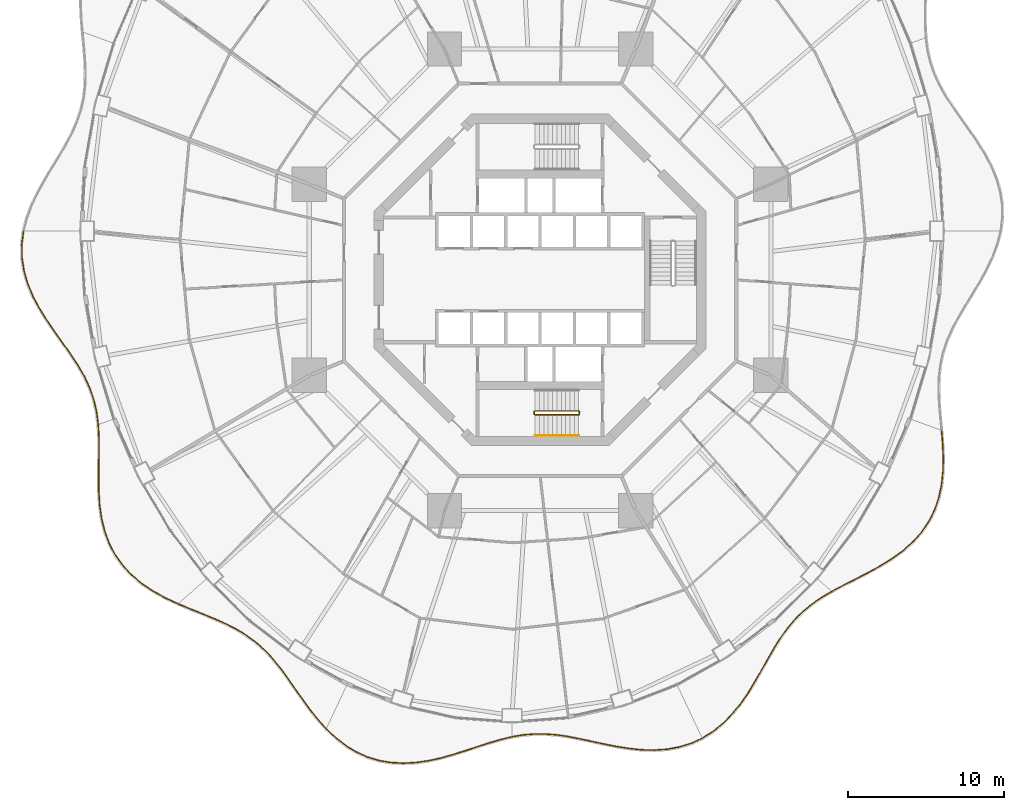
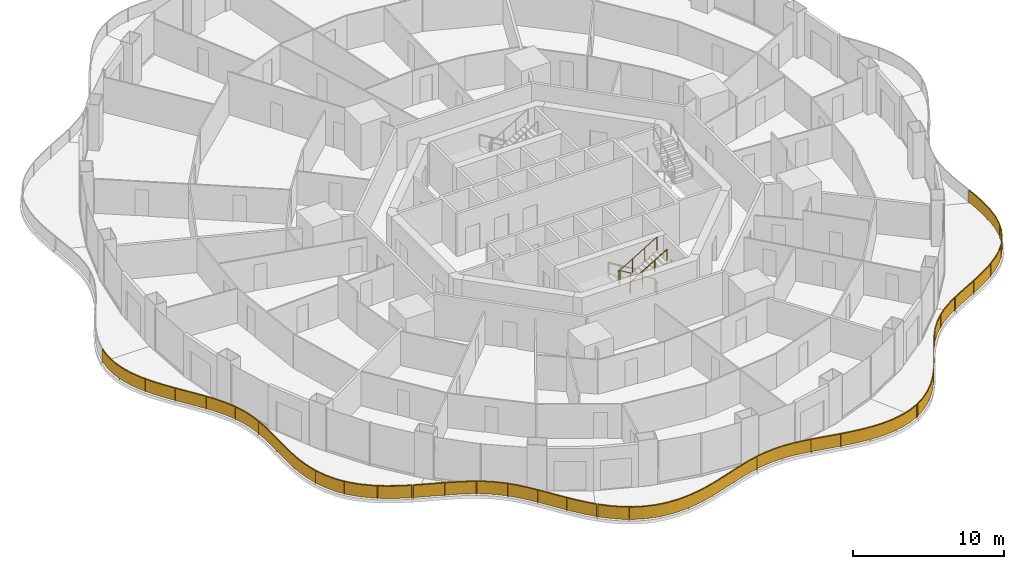
# One storey, part 20 of 22: 9 railings.
"""IFC4 building model written with IfcOpenShell, lengths in metres."""

from ifc_helpers import new_model, si_unit, direction, frame, origin, origin_2d, place, context, subcontext, project, spatial, polyline, rectangle, circle, outline, extrude, material, type_object, element, save


model = new_model("IFC4")

# Units and contexts
model_context = context("Model", 3, precision=1e-05, world=origin(), true_north=direction((0.0, 1.0)))
body_context = subcontext(model_context, "Body", "Model", "MODEL_VIEW")
ifc_project = project(units=[si_unit("LENGTHUNIT", "METRE"), si_unit("AREAUNIT", "SQUARE_METRE"), si_unit("VOLUMEUNIT", "CUBIC_METRE"), si_unit("PLANEANGLEUNIT", "RADIAN"), si_unit("MASSUNIT", "GRAM", prefix="KILO")], contexts=[model_context])

# Site, building, storey
site_placement = place(None, origin())
site = spatial("IfcSite", under=ifc_project, at=site_placement, CompositionType="ELEMENT")
building_placement = place(site_placement, origin())
building = spatial("IfcBuilding", under=site, at=building_placement, Name="Nagisa Residences", CompositionType="ELEMENT")
storey_placement = place(building_placement, frame((0.0, 0.0, 91.800048828125)))
storey = spatial("IfcBuildingStorey", under=building, at=storey_placement, Name="L22", CompositionType="ELEMENT", Elevation=91.800048828125)

# Railings
ifc_material_1 = material(Name="Stainless steel 316", Category="steel")
railing_type_1 = type_object("IfcRailingType", Name="BALCONY GUARD 1100", PredefinedType="BALUSTRADE", material=ifc_material_1)
railing_1_placement = place(storey_placement, frame((-33.089599609375, 3.079345703125, 0.0)))
element("IfcRailing", 1, at=railing_1_placement, inside=storey, type_object=railing_type_1, Name="guard:L22:bal08-0", PredefinedType="BALUSTRADE", context=body_context, shape_type="SweptSolid", body=[
    extrude(outline(polyline([(-0.077880859375, -0.807373046875), (0.02490234375, -0.003173828125), (-0.02490234375, 0.003173828125), (-0.128173828125, -0.804443359375), (-0.118896484375, -1.659423828125), (0.009033203125, -2.5078125), (0.249267578125, -3.34326171875), (0.58984375, -4.16015625), (1.01025390625, -4.94140625), (1.491455078125, -5.713134765625), (2.006591796875, -6.462890625), (2.529052734375, -7.19384765625), (3.03369140625, -7.911865234375), (3.49462890625, -8.610107421875), (3.8994140625, -9.32421875), (4.232421875, -10.049072265625), (4.487060546875, -10.79296875), (4.663330078125, -11.562744140625), (4.761962890625, -12.321533203125), (4.811767578125, -12.315185546875), (4.712646484375, -11.553955078125), (4.535400390625, -10.779296875), (4.27880859375, -10.030517578125), (3.94384765625, -9.30126953125), (3.537109375, -8.583740234375), (3.0751953125, -7.883544921875), (2.570068359375, -7.1650390625), (2.047607421875, -6.43408203125), (1.533447265625, -5.685791015625), (1.0537109375, -4.91650390625), (0.63525390625, -4.138671875), (0.296630859375, -3.32666015625), (0.057861328125, -2.4970703125), (-0.069091796875, -1.655517578125), (-0.077880859375, -0.807373046875)])), frame((0.0, 0.0, 1.050048828125)), (0.0, 0.0, 1.0), 0.050048828125),
    extrude(outline(polyline([(-0.095947265625, -0.806396484375), (0.0068359375, -0.0009765625), (-0.0068359375, 0.0009765625), (-0.110107421875, -0.805419921875), (-0.10107421875, -1.657958984375), (0.026611328125, -2.50390625), (0.266357421875, -3.33740234375), (0.606201171875, -4.15234375), (1.02587890625, -4.932373046875), (1.506591796875, -5.703369140625), (2.021484375, -6.452392578125), (2.5439453125, -7.18359375), (3.048583984375, -7.901611328125), (3.510009765625, -8.6005859375), (3.915283203125, -9.31591796875), (4.2490234375, -10.04248046875), (4.50439453125, -10.7880859375), (4.68115234375, -11.5595703125), (4.780029296875, -12.3193359375), (4.793701171875, -12.3173828125), (4.69482421875, -11.55712890625), (4.51806640625, -10.7841796875), (4.26220703125, -10.037109375), (3.927978515625, -9.3095703125), (3.521728515625, -8.59326171875), (3.060302734375, -7.893798828125), (2.55517578125, -7.17529296875), (2.03271484375, -6.444580078125), (1.518310546875, -5.695556640625), (1.0380859375, -4.925537109375), (0.618896484375, -4.146484375), (0.279541015625, -3.33251953125), (0.040283203125, -2.5009765625), (-0.0869140625, -1.656982421875), (-0.095947265625, -0.806396484375)])), frame((0.0, 0.0, 0.06005859375)), (0.0, 0.0, 1.0), 0.989990234375),
    extrude(rectangle(XDim=0.0400390625, YDim=0.0400390625, at=origin_2d()), origin(), (0.0, 0.0, 1.0), 1.050048828125),
    extrude(rectangle(XDim=0.0400390625, YDim=0.0400390625, at=origin_2d()), frame((-0.00537109375, -2.245849609375, 0.0)), (0.0, 0.0, 1.0), 1.050048828125),
    extrude(rectangle(XDim=0.0400390625, YDim=0.0400390625, at=origin_2d()), frame((0.7314453125, -4.3701171875, 0.0)), (0.0, 0.0, 1.0), 1.050048828125),
    extrude(rectangle(XDim=0.0400390625, YDim=0.0400390625, at=origin_2d()), frame((1.918212890625, -6.2900390625, 0.0)), (0.0, 0.0, 1.0), 1.050048828125),
    extrude(rectangle(XDim=0.0400390625, YDim=0.0400390625, at=origin_2d()), frame((3.21435546875, -8.139892578125, 0.0)), (0.0, 0.0, 1.0), 1.050048828125),
    extrude(rectangle(XDim=0.0400390625, YDim=0.0400390625, at=origin_2d()), frame((4.2841796875, -10.12353515625, 0.0)), (0.0, 0.0, 1.0), 1.050048828125),
    extrude(rectangle(XDim=0.0400390625, YDim=0.0400390625, at=origin_2d()), frame((4.786865234375, -12.318359375, 0.0)), (0.0, 0.0, 1.0), 1.050048828125),
])
railing_2_placement = place(storey_placement, frame((-28.298095703125, -9.310546875, 0.0)))
element("IfcRailing", 2, at=railing_2_placement, inside=storey, type_object=railing_type_1, Name="guard:L22:bal09-0", PredefinedType="BALUSTRADE", context=body_context, shape_type="SweptSolid", body=[
    extrude(outline(polyline([(0.066650390625, -0.764404296875), (0.02490234375, 0.00146484375), (-0.02490234375, -0.00146484375), (0.016845703125, -0.765869140625), (0.0224609375, -1.601318359375), (0.0087890625, -2.461181640625), (-0.003173828125, -3.339111328125), (0.009765625, -4.22509765625), (0.061279296875, -5.0947265625), (0.184326171875, -5.961669921875), (0.3876953125, -6.799560546875), (0.68212890625, -7.595947265625), (1.07373046875, -8.340087890625), (1.55419921875, -9.01171875), (2.13330078125, -9.62841796875), (2.794189453125, -10.17822265625), (3.521728515625, -10.663330078125), (4.298828125, -11.09033203125), (5.065673828125, -11.4482421875), (5.086669921875, -11.40283203125), (4.3212890625, -11.0458984375), (3.547607421875, -10.620361328125), (2.823974609375, -10.13818359375), (2.16748046875, -9.591796875), (1.5927734375, -8.97998046875), (1.1162109375, -8.313720703125), (0.72802734375, -7.575439453125), (0.435546875, -6.784912109375), (0.233642578125, -5.952392578125), (0.111083984375, -5.08984375), (0.0595703125, -4.22314453125), (0.047119140625, -3.339111328125), (0.05859375, -2.462158203125), (0.07275390625, -1.601318359375), (0.066650390625, -0.764404296875)])), frame((0.0, 0.0, 1.050048828125)), (0.0, 0.0, 1.0), 0.050048828125),
    extrude(outline(polyline([(0.048828125, -0.764892578125), (0.007080078125, 0.00048828125), (-0.007080078125, -0.00048828125), (0.03466796875, -0.765380859375), (0.04052734375, -1.601318359375), (0.026611328125, -2.461669921875), (0.014892578125, -3.339111328125), (0.027587890625, -4.224365234375), (0.0791015625, -5.093017578125), (0.2021484375, -5.958251953125), (0.405029296875, -6.794189453125), (0.69873046875, -7.588623046875), (1.089111328125, -8.33056640625), (1.568115234375, -9.000244140625), (2.1455078125, -9.615234375), (2.804931640625, -10.163818359375), (3.531005859375, -10.64794921875), (4.306884765625, -11.074462890625), (5.0732421875, -11.431884765625), (5.0791015625, -11.419189453125), (4.313232421875, -11.061767578125), (3.538330078125, -10.6357421875), (2.813232421875, -10.152587890625), (2.1552734375, -9.60498046875), (1.578857421875, -8.991455078125), (1.100830078125, -8.3232421875), (0.71142578125, -7.582763671875), (0.418212890625, -6.790283203125), (0.2158203125, -5.955810546875), (0.09326171875, -5.091552734375), (0.041748046875, -4.223876953125), (0.029052734375, -3.339111328125), (0.040771484375, -2.461669921875), (0.0546875, -1.601318359375), (0.048828125, -0.764892578125)])), frame((0.0, 0.0, 0.06005859375)), (0.0, 0.0, 1.0), 0.989990234375),
    extrude(rectangle(XDim=0.0400390625, YDim=0.0400390625, at=origin_2d()), origin(), (0.0, 0.0, 1.0), 1.050048828125),
    extrude(rectangle(XDim=0.0400390625, YDim=0.0400390625, at=origin_2d()), frame((0.036865234375, -2.271484375, 0.0)), (0.0, 0.0, 1.0), 1.050048828125),
    extrude(rectangle(XDim=0.0400390625, YDim=0.0400390625, at=origin_2d()), frame((0.0537109375, -4.543212890625, 0.0)), (0.0, 0.0, 1.0), 1.050048828125),
    extrude(rectangle(XDim=0.0400390625, YDim=0.0400390625, at=origin_2d()), frame((0.4091796875, -6.782470703125, 0.0)), (0.0, 0.0, 1.0), 1.050048828125),
    extrude(rectangle(XDim=0.0400390625, YDim=0.0400390625, at=origin_2d()), frame((1.431884765625, -8.7978515625, 0.0)), (0.0, 0.0, 1.0), 1.050048828125),
    extrude(rectangle(XDim=0.0400390625, YDim=0.0400390625, at=origin_2d()), frame((3.083251953125, -10.341064453125, 0.0)), (0.0, 0.0, 1.0), 1.050048828125),
    extrude(rectangle(XDim=0.0400390625, YDim=0.0400390625, at=origin_2d()), frame((5.076171875, -11.425537109375, 0.0)), (0.0, 0.0, 1.0), 1.050048828125),
])
railing_3_placement = place(storey_placement, frame((-23.1513671875, -20.76611328125, 0.0)))
element("IfcRailing", 3, at=railing_3_placement, inside=storey, type_object=railing_type_1, Name="guard:L22:bal10-0", PredefinedType="BALUSTRADE", context=body_context, shape_type="SweptSolid", body=[
    extrude(outline(polyline([(0.747802734375, -0.286376953125), (0.009765625, 0.023193359375), (-0.009765625, -0.023193359375), (0.728759765625, -0.332763671875), (1.50244140625, -0.64501953125), (2.255859375, -0.954345703125), (2.977294921875, -1.27587890625), (3.65869140625, -1.622314453125), (4.283447265625, -1.99560546875), (4.875244140625, -2.42578125), (5.4248046875, -2.908203125), (5.93896484375, -3.44482421875), (6.427001953125, -4.033203125), (6.885986328125, -4.657470703125), (7.35595703125, -5.324951171875), (7.83544921875, -6.01220703125), (8.33642578125, -6.7021484375), (8.869140625, -7.375732421875), (9.40771484375, -7.979736328125), (9.4453125, -7.946533203125), (8.90771484375, -7.343505859375), (8.37646484375, -6.671875), (7.87646484375, -5.9833984375), (7.39697265625, -5.296142578125), (6.926513671875, -4.628173828125), (6.466552734375, -4.00244140625), (5.9765625, -3.41162109375), (5.45947265625, -2.8720703125), (4.906494140625, -2.38671875), (4.311279296875, -1.95361328125), (3.68310546875, -1.578369140625), (2.998779296875, -1.23046875), (2.275390625, -0.908447265625), (1.521484375, -0.5986328125), (0.747802734375, -0.286376953125)])), frame((0.0, 0.0, 1.050048828125)), (0.0, 0.0, 1.0), 0.050048828125),
    extrude(outline(polyline([(0.740966796875, -0.302978515625), (0.002685546875, 0.00634765625), (-0.002685546875, -0.00634765625), (0.735595703125, -0.316162109375), (1.50927734375, -0.62841796875), (2.262939453125, -0.937744140625), (2.985107421875, -1.259521484375), (3.66748046875, -1.6064453125), (4.29345703125, -1.98046875), (4.886474609375, -2.41162109375), (5.437255859375, -2.895263671875), (5.95263671875, -3.432861328125), (6.441162109375, -4.022216796875), (6.900634765625, -4.64697265625), (7.370849609375, -5.314453125), (7.850341796875, -6.001953125), (8.350830078125, -6.691162109375), (8.883056640625, -7.364013671875), (9.42138671875, -7.9677734375), (9.431640625, -7.95849609375), (8.893798828125, -7.355224609375), (8.362060546875, -6.682861328125), (7.861572265625, -5.99365234375), (7.382080078125, -5.306640625), (6.911865234375, -4.638671875), (6.452392578125, -4.013427734375), (5.962890625, -3.423583984375), (5.447021484375, -2.885009765625), (4.895263671875, -2.40087890625), (4.30126953125, -1.96875), (3.67431640625, -1.59423828125), (2.990966796875, -1.246826171875), (2.268310546875, -0.925048828125), (1.5146484375, -0.615234375), (0.740966796875, -0.302978515625)])), frame((0.0, 0.0, 0.06005859375)), (0.0, 0.0, 1.0), 0.989990234375),
    extrude(rectangle(XDim=0.0400390625, YDim=0.0400390625, at=origin_2d()), origin(), (0.0, 0.0, 1.0), 1.050048828125),
    extrude(rectangle(XDim=0.0400390625, YDim=0.0400390625, at=origin_2d()), frame((1.951904296875, -0.802490234375, 0.0)), (0.0, 0.0, 1.0), 1.050048828125),
    extrude(rectangle(XDim=0.0400390625, YDim=0.0400390625, at=origin_2d()), frame((3.85498046875, -1.71044921875, 0.0)), (0.0, 0.0, 1.0), 1.050048828125),
    extrude(rectangle(XDim=0.0400390625, YDim=0.0400390625, at=origin_2d()), frame((5.53076171875, -2.982421875, 0.0)), (0.0, 0.0, 1.0), 1.050048828125),
    extrude(rectangle(XDim=0.0400390625, YDim=0.0400390625, at=origin_2d()), frame((6.87744140625, -4.603759765625, 0.0)), (0.0, 0.0, 1.0), 1.050048828125),
    extrude(rectangle(XDim=0.0400390625, YDim=0.0400390625, at=origin_2d()), frame((8.09521484375, -6.327392578125, 0.0)), (0.0, 0.0, 1.0), 1.050048828125),
    extrude(rectangle(XDim=0.0400390625, YDim=0.0400390625, at=origin_2d()), frame((9.426513671875, -7.963134765625, 0.0)), (0.0, 0.0, 1.0), 1.050048828125),
])
railing_4_placement = place(storey_placement, frame((-13.671630859375, -28.785400390625, 0.0)))
element("IfcRailing", 4, at=railing_4_placement, inside=storey, type_object=railing_type_1, Name="guard:L22:bal11-0", PredefinedType="BALUSTRADE", context=body_context, shape_type="SweptSolid", body=[
    extrude(outline(polyline([(0.573486328125, -0.51220703125), (0.017333984375, 0.01806640625), (-0.017333984375, -0.01806640625), (0.540771484375, -0.55029296875), (1.179443359375, -1.047119140625), (1.861328125, -1.464599609375), (2.583740234375, -1.79296875), (3.3408203125, -2.026123046875), (4.109375, -2.157470703125), (4.913818359375, -2.200439453125), (5.729248046875, -2.15673828125), (6.546875, -2.0380859375), (7.359375, -1.85888671875), (8.142578125, -1.6337890625), (8.927001953125, -1.38623046875), (9.692626953125, -1.132568359375), (10.439697265625, -0.89111328125), (11.16943359375, -0.67822265625), (11.84326171875, -0.51611328125), (11.83154296875, -0.46728515625), (11.15673828125, -0.6298828125), (10.425048828125, -0.84326171875), (9.677001953125, -1.085205078125), (8.911376953125, -1.33837890625), (8.1279296875, -1.5859375), (7.34716796875, -1.810546875), (6.5380859375, -1.98876953125), (5.724365234375, -2.10693359375), (4.913818359375, -2.150146484375), (4.11474609375, -2.107666015625), (3.3525390625, -1.977294921875), (2.601318359375, -1.74609375), (1.884765625, -1.420166015625), (1.207763671875, -1.006103515625), (0.573486328125, -0.51220703125)])), frame((0.0, 0.0, 1.050048828125)), (0.0, 0.0, 1.0), 0.050048828125),
    extrude(outline(polyline([(0.561767578125, -0.52587890625), (0.0048828125, 0.005126953125), (-0.0048828125, -0.005126953125), (0.552490234375, -0.53662109375), (1.189697265625, -1.032470703125), (1.869873046875, -1.448486328125), (2.590087890625, -1.776123046875), (3.344970703125, -2.008544921875), (4.111328125, -2.1396484375), (4.913818359375, -2.182373046875), (5.7275390625, -2.138916015625), (6.543701171875, -2.020263671875), (7.35498046875, -1.841552734375), (8.13720703125, -1.616455078125), (8.92138671875, -1.368896484375), (9.68701171875, -1.115478515625), (10.434326171875, -0.873779296875), (11.164794921875, -0.660888671875), (11.839111328125, -0.49853515625), (11.835693359375, -0.48486328125), (11.161376953125, -0.647216796875), (10.430419921875, -0.860595703125), (9.6826171875, -1.102294921875), (8.9169921875, -1.355712890625), (8.13330078125, -1.603271484375), (7.3515625, -1.827880859375), (6.541259765625, -2.006591796875), (5.72607421875, -2.124755859375), (4.913818359375, -2.168212890625), (4.11279296875, -2.12548828125), (3.348388671875, -1.994873046875), (2.594970703125, -1.762939453125), (1.876220703125, -1.436279296875), (1.197509765625, -1.020751953125), (0.561767578125, -0.52587890625)])), frame((0.0, 0.0, 0.06005859375)), (0.0, 0.0, 1.0), 0.989990234375),
    extrude(rectangle(XDim=0.0400390625, YDim=0.0400390625, at=origin_2d()), origin(), (0.0, 0.0, 1.0), 1.050048828125),
    extrude(rectangle(XDim=0.0400390625, YDim=0.0400390625, at=origin_2d()), frame((1.652099609375, -1.30712890625, 0.0)), (0.0, 0.0, 1.0), 1.050048828125),
    extrude(rectangle(XDim=0.0400390625, YDim=0.0400390625, at=origin_2d()), frame((3.6181640625, -2.048095703125, 0.0)), (0.0, 0.0, 1.0), 1.050048828125),
    extrude(rectangle(XDim=0.0400390625, YDim=0.0400390625, at=origin_2d()), frame((5.722412109375, -2.132080078125, 0.0)), (0.0, 0.0, 1.0), 1.050048828125),
    extrude(rectangle(XDim=0.0400390625, YDim=0.0400390625, at=origin_2d()), frame((7.79052734375, -1.708984375, 0.0)), (0.0, 0.0, 1.0), 1.050048828125),
    extrude(rectangle(XDim=0.0400390625, YDim=0.0400390625, at=origin_2d()), frame((9.80517578125, -1.070068359375, 0.0)), (0.0, 0.0, 1.0), 1.050048828125),
    extrude(rectangle(XDim=0.0400390625, YDim=0.0400390625, at=origin_2d()), frame((11.83740234375, -0.49169921875, 0.0)), (0.0, 0.0, 1.0), 1.050048828125),
])
railing_5_placement = place(storey_placement, frame((-1.765380859375, -29.26123046875, 0.0)))
element("IfcRailing", 5, at=railing_5_placement, inside=storey, type_object=railing_type_1, Name="guard:L22:bal12-0", PredefinedType="BALUSTRADE", context=body_context, shape_type="SweptSolid", body=[
    extrude(outline(polyline([(0.66259765625, 0.136962890625), (-0.004150390625, 0.024658203125), (0.004150390625, -0.024658203125), (0.6689453125, 0.087158203125), (1.374267578125, 0.14794921875), (2.082763671875, 0.149169921875), (2.8017578125, 0.093994140625), (3.535400390625, -0.010009765625), (4.27001953125, -0.154541015625), (5.04248046875, -0.31982421875), (5.83447265625, -0.491455078125), (6.643310546875, -0.6513671875), (7.4638671875, -0.78125), (8.272705078125, -0.867919921875), (9.095458984375, -0.886474609375), (9.905517578125, -0.828125), (10.694091796875, -0.68408203125), (11.451171875, -0.448486328125), (12.124755859375, -0.140380859375), (12.103759765625, -0.094970703125), (11.43310546875, -0.401611328125), (10.681884765625, -0.63525390625), (9.899169921875, -0.7783203125), (9.093994140625, -0.836181640625), (8.276123046875, -0.818115234375), (7.47021484375, -0.7314453125), (6.652099609375, -0.60205078125), (5.8447265625, -0.442626953125), (5.05322265625, -0.27099609375), (4.2802734375, -0.105712890625), (3.543701171875, 0.039306640625), (2.80712890625, 0.143798828125), (2.084716796875, 0.199462890625), (1.371826171875, 0.19775390625), (0.66259765625, 0.136962890625)])), frame((0.0, 0.0, 1.050048828125)), (0.0, 0.0, 1.0), 0.050048828125),
    extrude(outline(polyline([(0.664794921875, 0.118896484375), (-0.001220703125, 0.0068359375), (0.001220703125, -0.0068359375), (0.666748046875, 0.105224609375), (1.373291015625, 0.165771484375), (2.08349609375, 0.167236328125), (2.8037109375, 0.11181640625), (3.538330078125, 0.0078125), (4.273681640625, -0.136962890625), (5.04638671875, -0.30224609375), (5.838134765625, -0.473876953125), (6.646484375, -0.633544921875), (7.466064453125, -0.76318359375), (8.27392578125, -0.85009765625), (9.094970703125, -0.868408203125), (9.9033203125, -0.81005859375), (10.689697265625, -0.66650390625), (11.444580078125, -0.431640625), (12.1171875, -0.1240234375), (12.111328125, -0.111328125), (11.439697265625, -0.41845703125), (10.686279296875, -0.65283203125), (9.9013671875, -0.79638671875), (9.094482421875, -0.854248046875), (8.27490234375, -0.8359375), (7.468017578125, -0.74951171875), (6.64892578125, -0.619873046875), (5.841064453125, -0.460205078125), (5.04931640625, -0.28857421875), (4.276611328125, -0.123291015625), (3.540771484375, 0.021484375), (2.80517578125, 0.1259765625), (2.083984375, 0.181396484375), (1.372802734375, 0.179931640625), (0.664794921875, 0.118896484375)])), frame((0.0, 0.0, 0.06005859375)), (0.0, 0.0, 1.0), 0.989990234375),
    extrude(rectangle(XDim=0.0400390625, YDim=0.0400390625, at=origin_2d()), origin(), (0.0, 0.0, 1.0), 1.050048828125),
    extrude(rectangle(XDim=0.0400390625, YDim=0.0400390625, at=origin_2d()), frame((2.043701171875, 0.17431640625, 0.0)), (0.0, 0.0, 1.0), 1.050048828125),
    extrude(rectangle(XDim=0.0400390625, YDim=0.0400390625, at=origin_2d()), frame((4.07958984375, -0.091552734375, 0.0)), (0.0, 0.0, 1.0), 1.050048828125),
    extrude(rectangle(XDim=0.0400390625, YDim=0.0400390625, at=origin_2d()), frame((6.0908203125, -0.5166015625, 0.0)), (0.0, 0.0, 1.0), 1.050048828125),
    extrude(rectangle(XDim=0.0400390625, YDim=0.0400390625, at=origin_2d()), frame((8.12158203125, -0.82666015625, 0.0)), (0.0, 0.0, 1.0), 1.050048828125),
    extrude(rectangle(XDim=0.0400390625, YDim=0.0400390625, at=origin_2d()), frame((10.169677734375, -0.75439453125, 0.0)), (0.0, 0.0, 1.0), 1.050048828125),
    extrude(rectangle(XDim=0.0400390625, YDim=0.0400390625, at=origin_2d()), frame((12.1142578125, -0.11767578125, 0.0)), (0.0, 0.0, 1.0), 1.050048828125),
])
railing_6_placement = place(storey_placement, frame((10.4169921875, -29.34228515625, 0.0)))
element("IfcRailing", 6, at=railing_6_placement, inside=storey, type_object=railing_type_1, Name="guard:L22:bal13-0", PredefinedType="BALUSTRADE", context=body_context, shape_type="SweptSolid", body=[
    extrude(outline(polyline([(0.639404296875, 0.429443359375), (-0.01318359375, 0.021240234375), (0.01318359375, -0.021240234375), (0.668701171875, 0.388427734375), (1.312255859375, 0.911376953125), (1.901123046875, 1.5107421875), (2.437744140625, 2.170166015625), (2.9267578125, 2.873291015625), (3.36279296875, 3.591796875), (3.784912109375, 4.32568359375), (4.19140625, 5.048828125), (4.595947265625, 5.74609375), (5.01220703125, 6.4052734375), (5.44091796875, 7.0078125), (5.916748046875, 7.5703125), (6.436279296875, 8.08251953125), (7.003662109375, 8.547607421875), (7.62060546875, 8.97314453125), (8.247314453125, 9.344970703125), (8.221923828125, 9.387939453125), (7.59375, 9.01513671875), (6.973388671875, 8.587646484375), (6.402587890625, 8.11962890625), (5.880126953125, 7.6044921875), (5.4013671875, 7.03857421875), (4.970703125, 6.43310546875), (4.552978515625, 5.77197265625), (4.14794921875, 5.07373046875), (3.741455078125, 4.3505859375), (3.31982421875, 3.6171875), (2.884765625, 2.900634765625), (2.397705078125, 2.200439453125), (1.864013671875, 1.5439453125), (1.278564453125, 0.948486328125), (0.639404296875, 0.429443359375)])), frame((0.0, 0.0, 1.050048828125)), (0.0, 0.0, 1.0), 0.050048828125),
    extrude(outline(polyline([(0.64990234375, 0.41455078125), (-0.003662109375, 0.005859375), (0.003662109375, -0.005859375), (0.658203125, 0.4033203125), (1.300048828125, 0.9248046875), (1.8876953125, 1.522705078125), (2.42333984375, 2.18115234375), (2.91162109375, 2.883056640625), (3.347412109375, 3.600830078125), (3.769287109375, 4.334716796875), (4.17578125, 5.057861328125), (4.58056640625, 5.75537109375), (4.997314453125, 6.415283203125), (5.4267578125, 7.018798828125), (5.903564453125, 7.58251953125), (6.424072265625, 8.095947265625), (6.99267578125, 8.56201171875), (7.61083984375, 8.98828125), (8.23828125, 9.3603515625), (8.23095703125, 9.37255859375), (7.603515625, 9.0), (6.984375, 8.5732421875), (6.414794921875, 8.106201171875), (5.893310546875, 7.59228515625), (5.41552734375, 7.027587890625), (4.985595703125, 6.423095703125), (4.568359375, 5.7626953125), (4.16357421875, 5.064697265625), (3.757080078125, 4.341552734375), (3.335205078125, 3.608154296875), (2.89990234375, 2.890869140625), (2.412109375, 2.189453125), (1.87744140625, 1.531982421875), (1.290771484375, 0.93505859375), (0.64990234375, 0.41455078125)])), frame((0.0, 0.0, 0.06005859375)), (0.0, 0.0, 1.0), 0.989990234375),
    extrude(rectangle(XDim=0.0400390625, YDim=0.0400390625, at=origin_2d()), origin(), (0.0, 0.0, 1.0), 1.050048828125),
    extrude(rectangle(XDim=0.0400390625, YDim=0.0400390625, at=origin_2d()), frame((1.65576171875, 1.29638671875, 0.0)), (0.0, 0.0, 1.0), 1.050048828125),
    extrude(rectangle(XDim=0.0400390625, YDim=0.0400390625, at=origin_2d()), frame((2.949951171875, 2.959716796875, 0.0)), (0.0, 0.0, 1.0), 1.050048828125),
    extrude(rectangle(XDim=0.0400390625, YDim=0.0400390625, at=origin_2d()), frame((4.013671875, 4.78369140625, 0.0)), (0.0, 0.0, 1.0), 1.050048828125),
    extrude(rectangle(XDim=0.0400390625, YDim=0.0400390625, at=origin_2d()), frame((5.110595703125, 6.586669921875, 0.0)), (0.0, 0.0, 1.0), 1.050048828125),
    extrude(rectangle(XDim=0.0400390625, YDim=0.0400390625, at=origin_2d()), frame((6.5009765625, 8.167724609375, 0.0)), (0.0, 0.0, 1.0), 1.050048828125),
    extrude(rectangle(XDim=0.0400390625, YDim=0.0400390625, at=origin_2d()), frame((8.234619140625, 9.366455078125, 0.0)), (0.0, 0.0, 1.0), 1.050048828125),
])
railing_7_placement = place(storey_placement, frame((18.716552734375, -19.941650390625, 0.0)))
element("IfcRailing", 7, at=railing_7_placement, inside=storey, type_object=railing_type_1, Name="guard:L22:bal14-0", PredefinedType="BALUSTRADE", context=body_context, shape_type="SweptSolid", body=[
    extrude(outline(polyline([(0.689697265625, 0.396240234375), (-0.01171875, 0.02197265625), (0.01171875, -0.02197265625), (0.712646484375, 0.351806640625), (1.482177734375, 0.742919921875), (2.265869140625, 1.14501953125), (3.0458984375, 1.57275390625), (3.80126953125, 2.039794921875), (4.50390625, 2.543212890625), (5.151611328125, 3.115234375), (5.7197265625, 3.747314453125), (6.19580078125, 4.43896484375), (6.572998046875, 5.18603515625), (6.842041015625, 5.968505859375), (7.020263671875, 6.80322265625), (7.111083984375, 7.666015625), (7.12841796875, 8.545166015625), (7.090576171875, 9.429443359375), (7.0205078125, 10.263916015625), (6.970703125, 10.259521484375), (7.040771484375, 9.426513671875), (7.078125, 8.544677734375), (7.061279296875, 7.6689453125), (6.970947265625, 6.81103515625), (6.793701171875, 5.981689453125), (6.526611328125, 5.20556640625), (6.15283203125, 4.46435546875), (5.68017578125, 3.778564453125), (5.116455078125, 3.15087890625), (4.47265625, 2.582275390625), (3.7734375, 2.081298828125), (3.0205078125, 1.6162109375), (2.242431640625, 1.189453125), (1.459228515625, 0.787353515625), (0.689697265625, 0.396240234375)])), frame((0.0, 0.0, 1.050048828125)), (0.0, 0.0, 1.0), 0.050048828125),
    extrude(outline(polyline([(0.697998046875, 0.380126953125), (-0.003173828125, 0.006103515625), (0.003173828125, -0.006103515625), (0.704345703125, 0.367919921875), (1.473876953125, 0.7587890625), (2.25732421875, 1.1611328125), (3.03662109375, 1.58837890625), (3.791259765625, 2.0546875), (4.49267578125, 2.557373046875), (5.138916015625, 3.128173828125), (5.70556640625, 3.758544921875), (6.180419921875, 4.447998046875), (6.55615234375, 5.193115234375), (6.82470703125, 5.97314453125), (7.00244140625, 6.805908203125), (7.09326171875, 7.6669921875), (7.1103515625, 8.544921875), (7.07275390625, 9.428466796875), (7.002685546875, 10.26220703125), (6.988525390625, 10.26123046875), (7.05859375, 9.427490234375), (7.09619140625, 8.544921875), (7.0791015625, 7.66796875), (6.98876953125, 6.808349609375), (6.81103515625, 5.97705078125), (6.54345703125, 5.198486328125), (6.168212890625, 4.455322265625), (5.6943359375, 3.767333984375), (5.129150390625, 3.137939453125), (4.48388671875, 2.568115234375), (3.783447265625, 2.06640625), (3.02978515625, 1.6005859375), (2.2509765625, 1.17333984375), (1.467529296875, 0.771484375), (0.697998046875, 0.380126953125)])), frame((0.0, 0.0, 0.06005859375)), (0.0, 0.0, 1.0), 0.989990234375),
    extrude(rectangle(XDim=0.0400390625, YDim=0.0400390625, at=origin_2d()), origin(), (0.0, 0.0, 1.0), 1.050048828125),
    extrude(rectangle(XDim=0.0400390625, YDim=0.0400390625, at=origin_2d()), frame((2.02587890625, 1.050048828125, 0.0)), (0.0, 0.0, 1.0), 1.050048828125),
    extrude(rectangle(XDim=0.0400390625, YDim=0.0400390625, at=origin_2d()), frame((3.990966796875, 2.206298828125, 0.0)), (0.0, 0.0, 1.0), 1.050048828125),
    extrude(rectangle(XDim=0.0400390625, YDim=0.0400390625, at=origin_2d()), frame((5.674560546875, 3.734619140625, 0.0)), (0.0, 0.0, 1.0), 1.050048828125),
    extrude(rectangle(XDim=0.0400390625, YDim=0.0400390625, at=origin_2d()), frame((6.736572265625, 5.73876953125, 0.0)), (0.0, 0.0, 1.0), 1.050048828125),
    extrude(rectangle(XDim=0.0400390625, YDim=0.0400390625, at=origin_2d()), frame((7.09228515625, 7.983642578125, 0.0)), (0.0, 0.0, 1.0), 1.050048828125),
    extrude(rectangle(XDim=0.0400390625, YDim=0.0400390625, at=origin_2d()), frame((6.99560546875, 10.26171875, 0.0)), (0.0, 0.0, 1.0), 1.050048828125),
])
ifc_material_2 = material(Name="Stainless steel", Category="steel")
railing_type_2 = type_object("IfcRailingType", Name="Stair guard 1100", PredefinedType="GUARDRAIL", material=ifc_material_2)
railing_8_placement = place(storey_placement, frame((2.52490234375, -8.599609375, 0.0)))
element("IfcRailing", 8, at=railing_8_placement, inside=storey, type_object=railing_type_2, Name="L22 ST-S stair guard 1", PredefinedType="GUARDRAIL", context=body_context, shape_type="SweptSolid", body=[
    extrude(circle(Radius=0.02392578125, at=origin_2d()), frame((0.0, 0.0, 1.076171875), z_axis=(0.0, 1.0, 0.0), x_axis=(-1.0, 0.0, 0.0)), (0.0, 0.0, 1.0), 0.14990234375),
    extrude(circle(Radius=0.02392578125, at=origin_2d()), frame((0.0, 0.14990234375, 1.076171875), z_axis=(-0.273006030465, 0.27434429532, 0.922064485248), x_axis=(-0.708833529934, -0.705375805398, 0.0)), (0.0, 0.0, 1.0), 0.182373046875),
    extrude(circle(Radius=0.02392578125, at=origin_2d()), frame((-0.0498046875, 0.199951171875, 1.244140625), z_axis=(-0.857275202839, 0.0, 0.514858452973), x_axis=(0.0, -1.0, 0.0)), (0.0, 0.0, 1.0), 3.26611328125),
    extrude(circle(Radius=0.02392578125, at=origin_2d()), frame((-2.849853515625, 0.199951171875, 2.92578125), z_axis=(-0.707106781187, -0.707106781187, 0.0), x_axis=(0.707106781187, -0.707106781187, 0.0)), (0.0, 0.0, 1.0), 0.07080078125),
    extrude(circle(Radius=0.02392578125, at=origin_2d()), frame((-2.89990234375, 0.14990234375, 2.92578125), z_axis=(0.0, -1.0, 0.0), x_axis=(1.0, 0.0, 0.0)), (0.0, 0.0, 1.0), 0.14990234375),
    extrude(circle(Radius=0.02392578125, at=origin_2d()), frame((-2.89990234375, 0.0, 2.92578125), z_axis=(0.274243871929, -0.274243871929, 0.92172696468), x_axis=(0.707106781187, 0.707106781187, 0.0)), (0.0, 0.0, 1.0), 0.1826171875),
    extrude(circle(Radius=0.02392578125, at=origin_2d()), frame((-2.849853515625, -0.050048828125, 3.09423828125), z_axis=(0.857242210791, 0.0, 0.514913383045), x_axis=(0.0, 1.0, 0.0)), (0.0, 0.0, 1.0), 3.266357421875),
    extrude(circle(Radius=0.02099609375, at=origin_2d()), origin(), (0.0, 0.0, 1.0), 1.052001953125),
    extrude(circle(Radius=0.02099609375, at=origin_2d()), frame((0.0, 0.14990234375, 0.0)), (0.0, 0.0, 1.0), 1.052001953125),
    extrude(circle(Radius=0.02099609375, at=origin_2d()), frame((-0.0498046875, 0.199951171875, 0.168212890625)), (0.0, 0.0, 1.0), 1.052001953125),
    extrude(circle(Radius=0.02099609375, at=origin_2d()), frame((-0.983154296875, 0.199951171875, 0.728759765625)), (0.0, 0.0, 1.0), 1.052001953125),
    extrude(circle(Radius=0.02099609375, at=origin_2d()), frame((-1.91650390625, 0.199951171875, 1.289306640625)), (0.0, 0.0, 1.0), 1.052001953125),
    extrude(circle(Radius=0.02099609375, at=origin_2d()), frame((-2.849853515625, 0.199951171875, 1.849853515625)), (0.0, 0.0, 1.0), 1.052001953125),
    extrude(circle(Radius=0.02099609375, at=origin_2d()), frame((-2.89990234375, 0.14990234375, 1.849853515625)), (0.0, 0.0, 1.0), 1.052001953125),
    extrude(circle(Radius=0.02099609375, at=origin_2d()), frame((-2.89990234375, 0.0, 1.849853515625)), (0.0, 0.0, 1.0), 1.052001953125),
    extrude(circle(Radius=0.02099609375, at=origin_2d()), frame((-2.849853515625, -0.050048828125, 2.01806640625)), (0.0, 0.0, 1.0), 1.052001953125),
    extrude(circle(Radius=0.02099609375, at=origin_2d()), frame((-1.91650390625, -0.050048828125, 2.57861328125)), (0.0, 0.0, 1.0), 1.052001953125),
    extrude(circle(Radius=0.02099609375, at=origin_2d()), frame((-0.983154296875, -0.050048828125, 3.139404296875)), (0.0, 0.0, 1.0), 1.052001953125),
    extrude(circle(Radius=0.02099609375, at=origin_2d()), frame((-0.0498046875, -0.050048828125, 3.699951171875)), (0.0, 0.0, 1.0), 1.052001953125),
])
ifc_material_3 = material(Name="Stainless steel", Category="steel")
railing_type_3 = type_object("IfcRailingType", Name="Stair handrail 900", PredefinedType="HANDRAIL", material=ifc_material_3)
railing_9_placement = place(storey_placement, frame((-0.324951171875, -9.974609375, 2.01806640625)))
element("IfcRailing", 9, at=railing_9_placement, inside=storey, type_object=railing_type_3, Name="L22 ST-S stair handrail 2", PredefinedType="HANDRAIL", context=body_context, shape_type="SweptSolid", body=[
    extrude(circle(Radius=0.02392578125, at=origin_2d()), frame((0.0, 0.0, 0.8759765625), z_axis=(0.857242210791, 0.0, 0.514913383045), x_axis=(0.0, 1.0, 0.0)), (0.0, 0.0, 1.0), 3.266357421875),
    extrude(circle(Radius=0.02099609375, at=origin_2d()), origin(), (0.0, 0.0, 1.0), 0.851806640625),
    extrude(circle(Radius=0.02099609375, at=origin_2d()), frame((0.933349609375, 0.0, 0.560546875)), (0.0, 0.0, 1.0), 0.851806640625),
    extrude(circle(Radius=0.02099609375, at=origin_2d()), frame((1.86669921875, 0.0, 1.121337890625)), (0.0, 0.0, 1.0), 0.851806640625),
    extrude(circle(Radius=0.02099609375, at=origin_2d()), frame((2.800048828125, 0.0, 1.681884765625)), (0.0, 0.0, 1.0), 0.851806640625),
])

save(model, "model.ifc")
